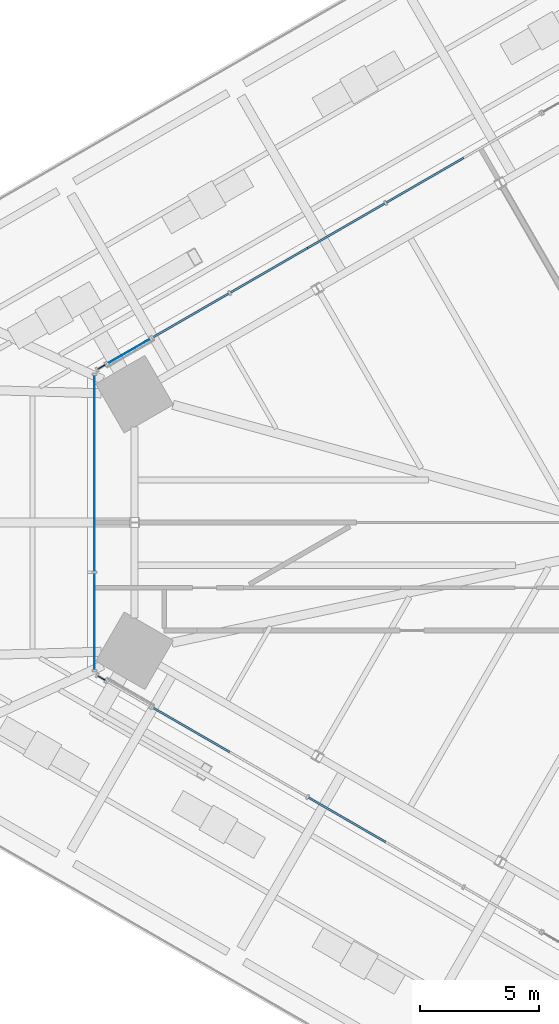
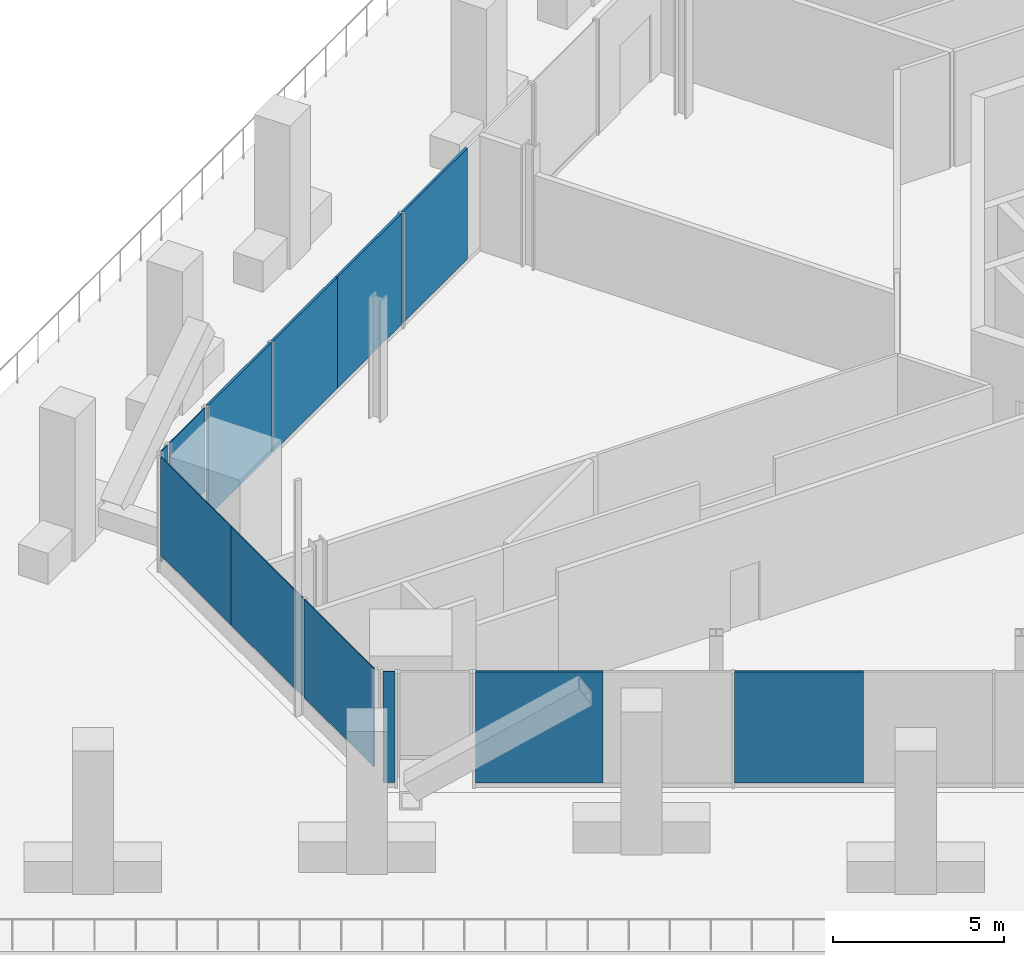
# One storey, part 21 of 38: 12 plates, 6 elements without a shape of their own.
"""IFC4 building model written with IfcOpenShell, lengths in metres."""

from ifc_helpers import new_model, si_unit, direction, frame, origin, origin_2d, place, context, subcontext, project, spatial, rectangle, extrude, source, transform, mapped, material, layer, layer_set, type_object, element, aggregate, save


model = new_model("IFC4")

# Units and contexts
model_context = context("Model", 3, precision=1e-05, world=origin(), true_north=direction((0.0, 1.0)))
body_context = subcontext(model_context, "Body", "Model", "MODEL_VIEW")
ifc_project = project(units=[si_unit("LENGTHUNIT", "METRE"), si_unit("AREAUNIT", "SQUARE_METRE"), si_unit("VOLUMEUNIT", "CUBIC_METRE"), si_unit("PLANEANGLEUNIT", "RADIAN"), si_unit("MASSUNIT", "GRAM", prefix="KILO")], contexts=[model_context])

# Site, building, storey
site_placement = place(None, origin())
site = spatial("IfcSite", under=ifc_project, at=site_placement, CompositionType="ELEMENT")
building_placement = place(site_placement, origin())
building = spatial("IfcBuilding", under=site, at=building_placement, Name="Triune Harvest Tower", CompositionType="ELEMENT")
storey_placement = place(building_placement, frame((0.0, 0.0, 16.0)))
storey = spatial("IfcBuildingStorey", under=building, at=storey_placement, Name="L03", CompositionType="ELEMENT", Elevation=16.0)

# Curtain wall, plate
ifc_material_1 = material(Name="Aluminium bronze anodised", Category="aluminium")
curtain_wall_type_1 = type_object("IfcCurtainWallType", Name="CW-10 Balcony window wall with insulated spandrel infill", PredefinedType="NOTDEFINED", material=ifc_material_1)
curtain_wall_1_placement = place(storey_placement, origin())
curtain_wall_1 = element("IfcCurtainWall", 1, at=curtain_wall_1_placement, inside=storey, type_object=curtain_wall_type_1, Name="CW-10 B1-F5 L03 run 201")
ifc_material_2 = material(Name="Insulated spandrel panel, bronze aluminium pan", Category="aluminium")
ifc_layer_1 = layer(ifc_material_2, 0.080078125)
ifc_layer_set_1 = layer_set([ifc_layer_1], Name="Insulated spandrel panel, bronze aluminium pan")
plate_type_1 = type_object("IfcPlateType", Name="SP-1 insulated spandrel panel 80", PredefinedType="CURTAIN_PANEL", material=ifc_layer_set_1)
shared_shape_1 = source(origin(), body_context, "Body", "SweptSolid", [
    extrude(rectangle(XDim=3.72314453125, YDim=0.080078125, at=origin_2d()), origin(), (0.0, 0.0, 1.0), 3.949951171875),
])
plate_1_placement = place(storey_placement, frame((-31.590576171875, -8.748291015625, 0.14990234375), z_axis=(0.0, 0.0, 1.0), x_axis=(0.866023275828, -0.500003685711, 0.0)))
plate_1 = element("IfcPlate", 2, at=plate_1_placement, type_object=plate_type_1, Name="CW-10 panel B1-F5 201.1", PredefinedType="CURTAIN_PANEL", context=body_context, shape_type="MappedRepresentation", body=[
    mapped(shared_shape_1, transform((0.0, 0.0, 0.0), scale=1.0)),
])

# Curtain wall, plates
curtain_wall_2_placement = place(storey_placement, origin())
curtain_wall_2 = element("IfcCurtainWall", 3, at=curtain_wall_2_placement, inside=storey, type_object=curtain_wall_type_1, Name="CW-10 B1-F3 L03 run 1002")
shared_shape_2 = source(origin(), body_context, "Body", "SweptSolid", [
    extrude(rectangle(XDim=3.7607421875, YDim=0.080078125, at=origin_2d()), origin(), (0.0, 0.0, 1.0), 3.949951171875),
])
plate_2_placement = place(storey_placement, frame((-21.73876953125, 14.436279296875, 0.14990234375), z_axis=(0.0, 0.0, 1.0), x_axis=(-0.866023275828, -0.500003685711, 0.0)))
plate_2 = element("IfcPlate", 4, at=plate_2_placement, type_object=plate_type_1, Name="CW-10 panel B1-F3 1002.2", PredefinedType="CURTAIN_PANEL", context=body_context, shape_type="MappedRepresentation", body=[
    mapped(shared_shape_2, transform((0.0, 0.0, 0.0), scale=1.0)),
])
plate_3_placement = place(storey_placement, frame((-25.060546875, 12.518310546875, 0.14990234375), z_axis=(0.0, 0.0, 1.0), x_axis=(-0.866023275828, -0.500003685711, 0.0)))
plate_3 = element("IfcPlate", 5, at=plate_3_placement, type_object=plate_type_1, Name="CW-10 panel B1-F3 1002.3", PredefinedType="CURTAIN_PANEL", context=body_context, shape_type="MappedRepresentation", body=[
    mapped(shared_shape_2, transform((0.0, 0.0, 0.0), scale=1.0)),
])
plate_4_placement = place(storey_placement, frame((-28.3173828125, 10.637939453125, 0.14990234375), z_axis=(0.0, 0.0, 1.0), x_axis=(-0.866023275828, -0.500003685711, 0.0)))
plate_4 = element("IfcPlate", 6, at=plate_4_placement, type_object=plate_type_1, Name="CW-10 panel B1-F3 1002.4", PredefinedType="CURTAIN_PANEL", context=body_context, shape_type="MappedRepresentation", body=[
    mapped(shared_shape_2, transform((0.0, 0.0, 0.0), scale=1.0)),
])

# Plate
plate_5_placement = place(storey_placement, frame((-25.028076171875, -12.537109375, 0.14990234375), z_axis=(0.0, 0.0, 1.0), x_axis=(0.866023275828, -0.500003685711, 0.0)))
plate_5 = element("IfcPlate", 7, at=plate_5_placement, type_object=plate_type_1, Name="CW-10 panel B1-F5 201.3", PredefinedType="CURTAIN_PANEL", context=body_context, shape_type="MappedRepresentation", body=[
    mapped(shared_shape_2, transform((0.0, 0.0, 0.0), scale=1.0)),
])

aggregate(curtain_wall_1, [plate_1, plate_5])

shared_shape_3 = source(origin(), body_context, "Body", "SweptSolid", [
    extrude(rectangle(XDim=3.685791015625, YDim=0.080078125, at=origin_2d()), origin(), (0.0, 0.0, 1.0), 3.949951171875),
])
plate_6_placement = place(storey_placement, frame((-31.606689453125, 8.73876953125, 0.14990234375), z_axis=(0.0, 0.0, 1.0), x_axis=(-0.866023275828, -0.500003685711, 0.0)))
plate_6 = element("IfcPlate", 8, at=plate_6_placement, type_object=plate_type_1, Name="CW-10 panel B1-F3 1002.5", PredefinedType="CURTAIN_PANEL", context=body_context, shape_type="MappedRepresentation", body=[
    mapped(shared_shape_3, transform((0.0, 0.0, 0.0), scale=1.0)),
])

aggregate(curtain_wall_2, [plate_2, plate_3, plate_4, plate_6])

# Curtain wall, plates
ifc_material_3 = material(Name="Aluminium bronze anodised", Category="aluminium")
curtain_wall_type_2 = type_object("IfcCurtainWallType", Name="CW-3 Farm floor curtain wall", PredefinedType="NOTDEFINED", material=ifc_material_3)
curtain_wall_3_placement = place(storey_placement, origin())
curtain_wall_3 = element("IfcCurtainWall", 9, at=curtain_wall_3_placement, inside=storey, type_object=curtain_wall_type_2, Name="CW-3 B1-F4 L03 run 1")
ifc_material_4 = material(Name="Glass", Category="glass")
ifc_layer_2 = layer(ifc_material_4, 0.035888671875)
ifc_layer_set_2 = layer_set([ifc_layer_2], Name="Glass")
plate_type_2 = type_object("IfcPlateType", Name="GL-3 panel 36", PredefinedType="CURTAIN_PANEL", material=ifc_layer_set_2)
shared_shape_4 = source(origin(), body_context, "Body", "SweptSolid", [
    extrude(rectangle(XDim=4.117919921875, YDim=0.035888671875, at=origin_2d()), origin(), (0.0, 0.0, 1.0), 3.5),
])
plate_7_placement = place(storey_placement, frame((-35.680419921875, 4.157958984375, 0.60009765625), z_axis=(0.0, 0.0, 1.0), x_axis=(0.0, -1.0, 0.0)))
plate_7 = element("IfcPlate", 10, at=plate_7_placement, type_object=plate_type_2, Name="CW-3 panel B1-F4 1.1", PredefinedType="CURTAIN_PANEL", context=body_context, shape_type="MappedRepresentation", body=[
    mapped(shared_shape_4, transform((0.0, 0.0, 0.0), scale=1.0)),
])
shared_shape_5 = source(origin(), body_context, "Body", "SweptSolid", [
    extrude(rectangle(XDim=4.157958984375, YDim=0.035888671875, at=origin_2d()), origin(), (0.0, 0.0, 1.0), 3.5),
])
plate_8_placement = place(storey_placement, frame((-35.680419921875, 0.02001953125, 0.60009765625), z_axis=(0.0, 0.0, 1.0), x_axis=(0.0, -1.0, 0.0)))
plate_8 = element("IfcPlate", 11, at=plate_8_placement, type_object=plate_type_2, Name="CW-3 panel B1-F4 1.2", PredefinedType="CURTAIN_PANEL", context=body_context, shape_type="MappedRepresentation", body=[
    mapped(shared_shape_5, transform((0.0, 0.0, 0.0), scale=1.0)),
])
shared_shape_6 = source(origin(), body_context, "Body", "SweptSolid", [
    extrude(rectangle(XDim=4.077880859375, YDim=0.035888671875, at=origin_2d()), origin(), (0.0, 0.0, 1.0), 3.5),
])
plate_9_placement = place(storey_placement, frame((-35.680419921875, -4.177978515625, 0.60009765625), z_axis=(0.0, 0.0, 1.0), x_axis=(0.0, -1.0, 0.0)))
plate_9 = element("IfcPlate", 12, at=plate_9_placement, type_object=plate_type_2, Name="CW-3 panel B1-F4 1.3", PredefinedType="CURTAIN_PANEL", context=body_context, shape_type="MappedRepresentation", body=[
    mapped(shared_shape_6, transform((0.0, 0.0, 0.0), scale=1.0)),
])
aggregate(curtain_wall_3, [plate_7, plate_8, plate_9])

# Curtain wall, plate
ifc_material_5 = material(Name="Aluminium bronze anodised", Category="aluminium")
curtain_wall_type_3 = type_object("IfcCurtainWallType", Name="CW-6 Balcony window wall", PredefinedType="NOTDEFINED", material=ifc_material_5)
curtain_wall_4_placement = place(storey_placement, origin())
curtain_wall_4 = element("IfcCurtainWall", 13, at=curtain_wall_4_placement, inside=storey, type_object=curtain_wall_type_3, Name="CW-6 B1-F3 L03 run 202")
ifc_material_6 = material(Name="Glass", Category="glass")
ifc_layer_3 = layer(ifc_material_6, 0.030029296875)
ifc_layer_set_3 = layer_set([ifc_layer_3], Name="Glass")
plate_type_3 = type_object("IfcPlateType", Name="GL-6 panel 30", PredefinedType="CURTAIN_PANEL", material=ifc_layer_set_3)
shared_shape_7 = source(origin(), body_context, "Body", "SweptSolid", [
    extrude(rectangle(XDim=0.351806640625, YDim=0.030029296875, at=origin_2d()), origin(), (0.0, 0.0, 1.0), 3.949951171875),
])
plate_10_placement = place(storey_placement, frame((-35.38525390625, 6.55712890625, 0.14990234375), z_axis=(0.0, 0.0, 1.0), x_axis=(-0.866039577901, -0.499975448906, 0.0)))
plate_10 = element("IfcPlate", 14, at=plate_10_placement, type_object=plate_type_3, Name="CW-6 panel B1-F3 202.1", PredefinedType="CURTAIN_PANEL", context=body_context, shape_type="MappedRepresentation", body=[
    mapped(shared_shape_7, transform((0.0, 0.0, 0.0), scale=1.0)),
])
aggregate(curtain_wall_4, [plate_10])

curtain_wall_5_placement = place(storey_placement, origin())
curtain_wall_5 = element("IfcCurtainWall", 15, at=curtain_wall_5_placement, inside=storey, type_object=curtain_wall_type_3, Name="CW-6 B1-F5 L03 run 1")
plate_11_placement = place(storey_placement, frame((-35.38525390625, -6.55712890625, 0.14990234375), z_axis=(0.0, 0.0, 1.0), x_axis=(0.866039577901, -0.499975448906, 0.0)))
plate_11 = element("IfcPlate", 16, at=plate_11_placement, type_object=plate_type_3, Name="CW-6 panel B1-F5 1.1", PredefinedType="CURTAIN_PANEL", context=body_context, shape_type="MappedRepresentation", body=[
    mapped(shared_shape_7, transform((0.0, 0.0, 0.0), scale=1.0)),
])
aggregate(curtain_wall_5, [plate_11])

curtain_wall_6_placement = place(storey_placement, origin())
curtain_wall_6 = element("IfcCurtainWall", 17, at=curtain_wall_6_placement, inside=storey, type_object=curtain_wall_type_3, Name="CW-6 B1-F3 L03 run 102")
shared_shape_8 = source(origin(), body_context, "Body", "SweptSolid", [
    extrude(rectangle(XDim=2.04443359375, YDim=0.030029296875, at=origin_2d()), origin(), (0.0, 0.0, 1.0), 2.965087890625),
])
plate_12_placement = place(storey_placement, frame((-34.2177734375, 7.231201171875, 1.134765625), z_axis=(0.0, 0.0, 1.0), x_axis=(-0.866024703584, -0.500001212781, 0.0)))
plate_12 = element("IfcPlate", 18, at=plate_12_placement, type_object=plate_type_3, Name="CW-6 panel B1-F3 102.1", PredefinedType="CURTAIN_PANEL", context=body_context, shape_type="MappedRepresentation", body=[
    mapped(shared_shape_8, transform((0.0, 0.0, 0.0), scale=1.0)),
])
aggregate(curtain_wall_6, [plate_12])

save(model, "model.ifc")
